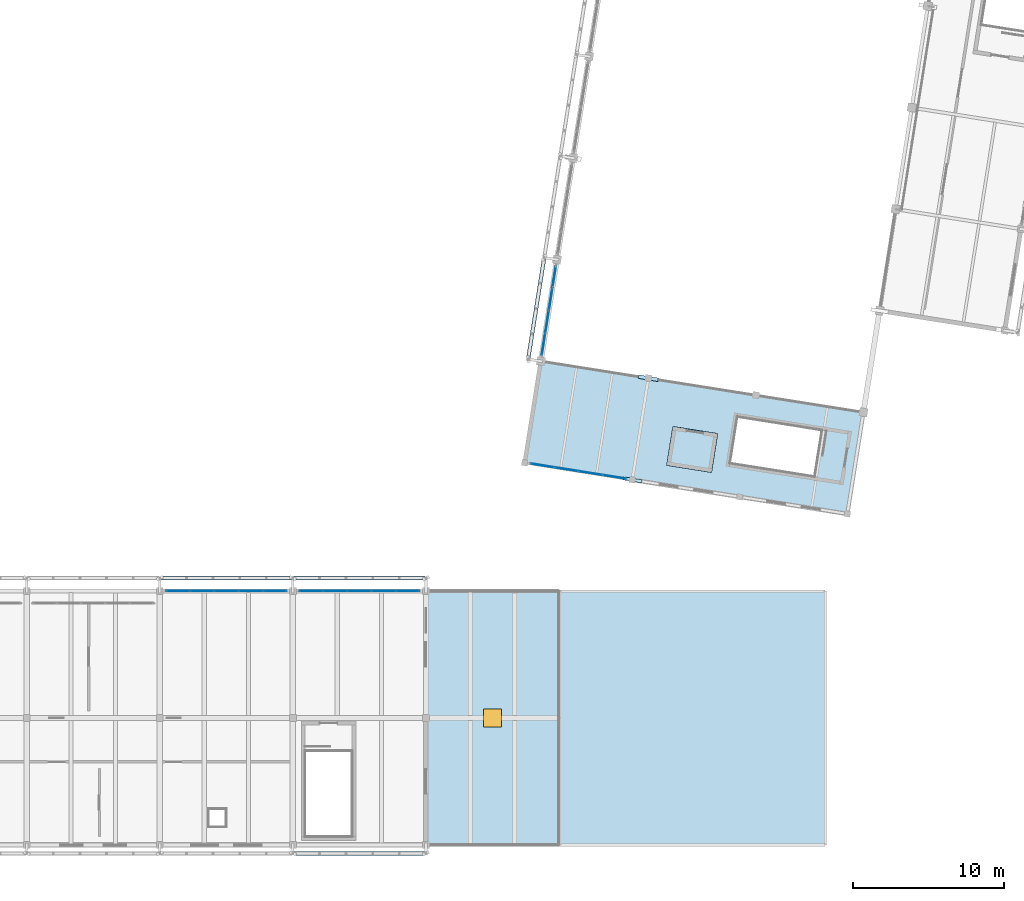
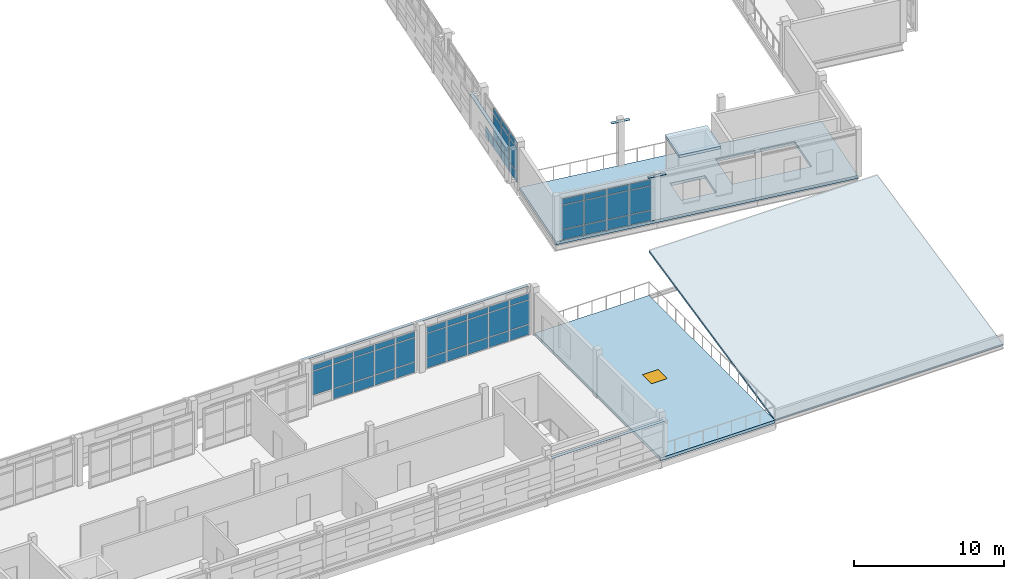
# One storey, part 85 of 117: 57 plates, 4 slabs, 1 window, 1 opening, 4 elements without a shape of their own.
"""IFC4 building model written with IfcOpenShell, lengths in metres."""

from ifc_helpers import new_model, si_unit, direction, frame, origin, origin_2d, place, context, subcontext, project, spatial, polyline, rectangle, outline, extrude, material, layer, layer_set, type_object, element, fill, aggregate, save


model = new_model("IFC4")

# Units and contexts
model_context = context("Model", 3, precision=1e-05, world=origin(), true_north=direction((0.0, 1.0)))
body_context = subcontext(model_context, "Body", "Model", "MODEL_VIEW")
ifc_project = project(units=[si_unit("LENGTHUNIT", "METRE"), si_unit("AREAUNIT", "SQUARE_METRE"), si_unit("VOLUMEUNIT", "CUBIC_METRE"), si_unit("PLANEANGLEUNIT", "RADIAN"), si_unit("MASSUNIT", "GRAM", prefix="KILO")], contexts=[model_context])

# Site, building, storey
site_placement = place(None, origin())
site = spatial("IfcSite", under=ifc_project, at=site_placement, CompositionType="ELEMENT")
building_placement = place(site_placement, origin())
building = spatial("IfcBuilding", under=site, at=building_placement, Name="Cinderway Yard Community Centre", CompositionType="ELEMENT")
storey_placement = place(building_placement, frame((0.0, 0.0, 9.0)))
storey = spatial("IfcBuildingStorey", under=building, at=storey_placement, Name="L02", CompositionType="ELEMENT", Elevation=9.0)

# Curtain wall, plates
ifc_material_1 = material(Name="Aluminium 6063-T6", Category="aluminium")
curtain_wall_type_1 = type_object("IfcCurtainWallType", Name="ENV-CW-TYPE-18", PredefinedType="USERDEFINED", material=ifc_material_1)
curtain_wall_1_placement = place(storey_placement, origin())
curtain_wall_1 = element("IfcCurtainWall", 1, at=curtain_wall_1_placement, inside=storey, type_object=curtain_wall_type_1, Name="Sports South Lobby Curtain Wall ENV-CW-L02-ST-0066", ObjectType="GLAZED CURTAIN WALL", PredefinedType="USERDEFINED")
ifc_material_2 = material(Name="Laminated Low-E Glass", Category="glass")
ifc_layer_1 = layer(ifc_material_2, 0.028076171875, Name="Laminated Low-E Glass")
ifc_layer_set_1 = layer_set([ifc_layer_1], Name="Laminated Low-E Glass")
plate_type_1 = type_object("IfcPlateType", Name="ENV-CW-PAN-IGU28", PredefinedType="CURTAIN_PANEL", material=ifc_layer_set_1)
plate_1_placement = place(storey_placement, frame((118.10693359375, 31.098876953125, 0.06005859375), z_axis=(0.0, 0.0, 1.0), x_axis=(0.987656379077, -0.156636128875, 0.0)))
plate_1 = element("IfcPlate", 2, at=plate_1_placement, type_object=plate_type_1, Name="CW-18 panel 1.1", PredefinedType="CURTAIN_PANEL", context=body_context, shape_type="SweptSolid", body=[
    extrude(rectangle(XDim=1.530029296875, YDim=0.028076171875, at=origin_2d()), origin(), (0.0, 0.0, 1.0), 0.81005859375),
])
plate_2_placement = place(storey_placement, frame((118.10693359375, 31.098876953125, 0.929931640625), z_axis=(0.0, 0.0, 1.0), x_axis=(0.987656379077, -0.156636128875, 0.0)))
plate_2 = element("IfcPlate", 3, at=plate_2_placement, type_object=plate_type_1, Name="CW-18 panel 1.2", PredefinedType="CURTAIN_PANEL", context=body_context, shape_type="SweptSolid", body=[
    extrude(rectangle(XDim=1.530029296875, YDim=0.028076171875, at=origin_2d()), origin(), (0.0, 0.0, 1.0), 1.93994140625),
])
plate_3_placement = place(storey_placement, frame((118.10693359375, 31.098876953125, 2.929931640625), z_axis=(0.0, 0.0, 1.0), x_axis=(0.987656379077, -0.156636128875, 0.0)))
plate_3 = element("IfcPlate", 4, at=plate_3_placement, type_object=plate_type_1, Name="CW-18 panel 1.3", PredefinedType="CURTAIN_PANEL", context=body_context, shape_type="SweptSolid", body=[
    extrude(rectangle(XDim=1.530029296875, YDim=0.028076171875, at=origin_2d()), origin(), (0.0, 0.0, 1.0), 0.4599609375),
])
plate_4_placement = place(storey_placement, frame((119.69189453125, 30.847412109375, 0.06005859375), z_axis=(0.0, 0.0, 1.0), x_axis=(0.987656379077, -0.156636128875, 0.0)))
plate_4 = element("IfcPlate", 5, at=plate_4_placement, type_object=plate_type_1, Name="CW-18 panel 2.1", PredefinedType="CURTAIN_PANEL", context=body_context, shape_type="SweptSolid", body=[
    extrude(rectangle(XDim=1.56005859375, YDim=0.028076171875, at=origin_2d()), origin(), (0.0, 0.0, 1.0), 0.81005859375),
])
plate_5_placement = place(storey_placement, frame((119.69189453125, 30.847412109375, 0.929931640625), z_axis=(0.0, 0.0, 1.0), x_axis=(0.987656379077, -0.156636128875, 0.0)))
plate_5 = element("IfcPlate", 6, at=plate_5_placement, type_object=plate_type_1, Name="CW-18 panel 2.2", PredefinedType="CURTAIN_PANEL", context=body_context, shape_type="SweptSolid", body=[
    extrude(rectangle(XDim=1.56005859375, YDim=0.028076171875, at=origin_2d()), origin(), (0.0, 0.0, 1.0), 1.93994140625),
])
plate_6_placement = place(storey_placement, frame((119.69189453125, 30.847412109375, 2.929931640625), z_axis=(0.0, 0.0, 1.0), x_axis=(0.987656379077, -0.156636128875, 0.0)))
plate_6 = element("IfcPlate", 7, at=plate_6_placement, type_object=plate_type_1, Name="CW-18 panel 2.3", PredefinedType="CURTAIN_PANEL", context=body_context, shape_type="SweptSolid", body=[
    extrude(rectangle(XDim=1.56005859375, YDim=0.028076171875, at=origin_2d()), origin(), (0.0, 0.0, 1.0), 0.4599609375),
])
plate_7_placement = place(storey_placement, frame((121.2919921875, 30.593505859375, 0.06005859375), z_axis=(0.0, 0.0, 1.0), x_axis=(0.987656379077, -0.156636128875, 0.0)))
plate_7 = element("IfcPlate", 8, at=plate_7_placement, type_object=plate_type_1, Name="CW-18 panel 3.1", PredefinedType="CURTAIN_PANEL", context=body_context, shape_type="SweptSolid", body=[
    extrude(rectangle(XDim=1.56005859375, YDim=0.028076171875, at=origin_2d()), origin(), (0.0, 0.0, 1.0), 0.81005859375),
])
plate_8_placement = place(storey_placement, frame((121.2919921875, 30.593505859375, 0.929931640625), z_axis=(0.0, 0.0, 1.0), x_axis=(0.987656379077, -0.156636128875, 0.0)))
plate_8 = element("IfcPlate", 9, at=plate_8_placement, type_object=plate_type_1, Name="CW-18 panel 3.2", PredefinedType="CURTAIN_PANEL", context=body_context, shape_type="SweptSolid", body=[
    extrude(rectangle(XDim=1.56005859375, YDim=0.028076171875, at=origin_2d()), origin(), (0.0, 0.0, 1.0), 1.93994140625),
])
plate_9_placement = place(storey_placement, frame((121.2919921875, 30.593505859375, 2.929931640625), z_axis=(0.0, 0.0, 1.0), x_axis=(0.987656379077, -0.156636128875, 0.0)))
plate_9 = element("IfcPlate", 10, at=plate_9_placement, type_object=plate_type_1, Name="CW-18 panel 3.3", PredefinedType="CURTAIN_PANEL", context=body_context, shape_type="SweptSolid", body=[
    extrude(rectangle(XDim=1.56005859375, YDim=0.028076171875, at=origin_2d()), origin(), (0.0, 0.0, 1.0), 0.4599609375),
])
plate_10_placement = place(storey_placement, frame((122.877197265625, 30.34228515625, 0.06005859375), z_axis=(0.0, 0.0, 1.0), x_axis=(0.987656379077, -0.156636128875, 0.0)))
plate_10 = element("IfcPlate", 11, at=plate_10_placement, type_object=plate_type_1, Name="CW-18 panel 4.1", PredefinedType="CURTAIN_PANEL", context=body_context, shape_type="SweptSolid", body=[
    extrude(rectangle(XDim=1.530029296875, YDim=0.028076171875, at=origin_2d()), origin(), (0.0, 0.0, 1.0), 0.81005859375),
])
plate_11_placement = place(storey_placement, frame((122.877197265625, 30.34228515625, 0.929931640625), z_axis=(0.0, 0.0, 1.0), x_axis=(0.987656379077, -0.156636128875, 0.0)))
plate_11 = element("IfcPlate", 12, at=plate_11_placement, type_object=plate_type_1, Name="CW-18 panel 4.2", PredefinedType="CURTAIN_PANEL", context=body_context, shape_type="SweptSolid", body=[
    extrude(rectangle(XDim=1.530029296875, YDim=0.028076171875, at=origin_2d()), origin(), (0.0, 0.0, 1.0), 1.93994140625),
])
plate_12_placement = place(storey_placement, frame((122.877197265625, 30.34228515625, 2.929931640625), z_axis=(0.0, 0.0, 1.0), x_axis=(0.987656379077, -0.156636128875, 0.0)))
plate_12 = element("IfcPlate", 13, at=plate_12_placement, type_object=plate_type_1, Name="CW-18 panel 4.3", PredefinedType="CURTAIN_PANEL", context=body_context, shape_type="SweptSolid", body=[
    extrude(rectangle(XDim=1.530029296875, YDim=0.028076171875, at=origin_2d()), origin(), (0.0, 0.0, 1.0), 0.4599609375),
])
aggregate(curtain_wall_1, [plate_1, plate_2, plate_3, plate_4, plate_5, plate_6, plate_7, plate_8, plate_9, plate_10, plate_11, plate_12])

curtain_wall_type_2 = type_object("IfcCurtainWallType", Name="ENV-CW-TYPE-30", PredefinedType="USERDEFINED", material=ifc_material_1)
curtain_wall_2_placement = place(storey_placement, origin())
curtain_wall_2 = element("IfcCurtainWall", 14, at=curtain_wall_2_placement, inside=storey, type_object=curtain_wall_type_2, Name="Dining Courtyard Curtain Wall ENV-CW-L02-ST-0105", ObjectType="GLAZED CURTAIN WALL", PredefinedType="USERDEFINED")
plate_13_placement = place(storey_placement, frame((93.9990234375, 22.800048828125, 0.929931640625), z_axis=(0.0, 0.0, 1.0), x_axis=(1.0, 0.0, 0.0)))
plate_13 = element("IfcPlate", 15, at=plate_13_placement, type_object=plate_type_1, Name="CW-30 panel 1.2", PredefinedType="CURTAIN_PANEL", context=body_context, shape_type="SweptSolid", body=[
    extrude(rectangle(XDim=1.51806640625, YDim=0.028076171875, at=origin_2d()), origin(), (0.0, 0.0, 1.0), 1.93994140625),
])
plate_14_placement = place(storey_placement, frame((93.9990234375, 22.800048828125, 2.929931640625), z_axis=(0.0, 0.0, 1.0), x_axis=(1.0, 0.0, 0.0)))
plate_14 = element("IfcPlate", 16, at=plate_14_placement, type_object=plate_type_1, Name="CW-30 panel 1.3", PredefinedType="CURTAIN_PANEL", context=body_context, shape_type="SweptSolid", body=[
    extrude(rectangle(XDim=1.51806640625, YDim=0.028076171875, at=origin_2d()), origin(), (0.0, 0.0, 1.0), 0.4599609375),
])
plate_15_placement = place(storey_placement, frame((95.592041015625, 22.800048828125, 0.06005859375), z_axis=(0.0, 0.0, 1.0), x_axis=(1.0, 0.0, 0.0)))
plate_15 = element("IfcPlate", 17, at=plate_15_placement, type_object=plate_type_1, Name="CW-30 panel 2.1", PredefinedType="CURTAIN_PANEL", context=body_context, shape_type="SweptSolid", body=[
    extrude(rectangle(XDim=1.548095703125, YDim=0.028076171875, at=origin_2d()), origin(), (0.0, 0.0, 1.0), 0.81005859375),
])
plate_16_placement = place(storey_placement, frame((95.592041015625, 22.800048828125, 0.929931640625), z_axis=(0.0, 0.0, 1.0), x_axis=(1.0, 0.0, 0.0)))
plate_16 = element("IfcPlate", 18, at=plate_16_placement, type_object=plate_type_1, Name="CW-30 panel 2.2", PredefinedType="CURTAIN_PANEL", context=body_context, shape_type="SweptSolid", body=[
    extrude(rectangle(XDim=1.548095703125, YDim=0.028076171875, at=origin_2d()), origin(), (0.0, 0.0, 1.0), 1.93994140625),
])
plate_17_placement = place(storey_placement, frame((95.592041015625, 22.800048828125, 2.929931640625), z_axis=(0.0, 0.0, 1.0), x_axis=(1.0, 0.0, 0.0)))
plate_17 = element("IfcPlate", 19, at=plate_17_placement, type_object=plate_type_1, Name="CW-30 panel 2.3", PredefinedType="CURTAIN_PANEL", context=body_context, shape_type="SweptSolid", body=[
    extrude(rectangle(XDim=1.548095703125, YDim=0.028076171875, at=origin_2d()), origin(), (0.0, 0.0, 1.0), 0.4599609375),
])
plate_18_placement = place(storey_placement, frame((97.199951171875, 22.800048828125, 0.06005859375), z_axis=(0.0, 0.0, 1.0), x_axis=(1.0, 0.0, 0.0)))
plate_18 = element("IfcPlate", 20, at=plate_18_placement, type_object=plate_type_1, Name="CW-30 panel 3.1", PredefinedType="CURTAIN_PANEL", context=body_context, shape_type="SweptSolid", body=[
    extrude(rectangle(XDim=1.548095703125, YDim=0.028076171875, at=origin_2d()), origin(), (0.0, 0.0, 1.0), 0.81005859375),
])
plate_19_placement = place(storey_placement, frame((97.199951171875, 22.800048828125, 0.929931640625), z_axis=(0.0, 0.0, 1.0), x_axis=(1.0, 0.0, 0.0)))
plate_19 = element("IfcPlate", 21, at=plate_19_placement, type_object=plate_type_1, Name="CW-30 panel 3.2", PredefinedType="CURTAIN_PANEL", context=body_context, shape_type="SweptSolid", body=[
    extrude(rectangle(XDim=1.548095703125, YDim=0.028076171875, at=origin_2d()), origin(), (0.0, 0.0, 1.0), 1.93994140625),
])
plate_20_placement = place(storey_placement, frame((97.199951171875, 22.800048828125, 2.929931640625), z_axis=(0.0, 0.0, 1.0), x_axis=(1.0, 0.0, 0.0)))
plate_20 = element("IfcPlate", 22, at=plate_20_placement, type_object=plate_type_1, Name="CW-30 panel 3.3", PredefinedType="CURTAIN_PANEL", context=body_context, shape_type="SweptSolid", body=[
    extrude(rectangle(XDim=1.548095703125, YDim=0.028076171875, at=origin_2d()), origin(), (0.0, 0.0, 1.0), 0.4599609375),
])
plate_21_placement = place(storey_placement, frame((98.80810546875, 22.800048828125, 0.06005859375), z_axis=(0.0, 0.0, 1.0), x_axis=(1.0, 0.0, 0.0)))
plate_21 = element("IfcPlate", 23, at=plate_21_placement, type_object=plate_type_1, Name="CW-30 panel 4.1", PredefinedType="CURTAIN_PANEL", context=body_context, shape_type="SweptSolid", body=[
    extrude(rectangle(XDim=1.548095703125, YDim=0.028076171875, at=origin_2d()), origin(), (0.0, 0.0, 1.0), 0.81005859375),
])
plate_22_placement = place(storey_placement, frame((98.80810546875, 22.800048828125, 0.929931640625), z_axis=(0.0, 0.0, 1.0), x_axis=(1.0, 0.0, 0.0)))
plate_22 = element("IfcPlate", 24, at=plate_22_placement, type_object=plate_type_1, Name="CW-30 panel 4.2", PredefinedType="CURTAIN_PANEL", context=body_context, shape_type="SweptSolid", body=[
    extrude(rectangle(XDim=1.548095703125, YDim=0.028076171875, at=origin_2d()), origin(), (0.0, 0.0, 1.0), 1.93994140625),
])
plate_23_placement = place(storey_placement, frame((98.80810546875, 22.800048828125, 2.929931640625), z_axis=(0.0, 0.0, 1.0), x_axis=(1.0, 0.0, 0.0)))
plate_23 = element("IfcPlate", 25, at=plate_23_placement, type_object=plate_type_1, Name="CW-30 panel 4.3", PredefinedType="CURTAIN_PANEL", context=body_context, shape_type="SweptSolid", body=[
    extrude(rectangle(XDim=1.548095703125, YDim=0.028076171875, at=origin_2d()), origin(), (0.0, 0.0, 1.0), 0.4599609375),
])
plate_24_placement = place(storey_placement, frame((100.40087890625, 22.800048828125, 0.06005859375), z_axis=(0.0, 0.0, 1.0), x_axis=(1.0, 0.0, 0.0)))
plate_24 = element("IfcPlate", 26, at=plate_24_placement, type_object=plate_type_1, Name="CW-30 panel 5.1", PredefinedType="CURTAIN_PANEL", context=body_context, shape_type="SweptSolid", body=[
    extrude(rectangle(XDim=1.51806640625, YDim=0.028076171875, at=origin_2d()), origin(), (0.0, 0.0, 1.0), 0.81005859375),
])
plate_25_placement = place(storey_placement, frame((100.40087890625, 22.800048828125, 0.929931640625), z_axis=(0.0, 0.0, 1.0), x_axis=(1.0, 0.0, 0.0)))
plate_25 = element("IfcPlate", 27, at=plate_25_placement, type_object=plate_type_1, Name="CW-30 panel 5.2", PredefinedType="CURTAIN_PANEL", context=body_context, shape_type="SweptSolid", body=[
    extrude(rectangle(XDim=1.51806640625, YDim=0.028076171875, at=origin_2d()), origin(), (0.0, 0.0, 1.0), 1.93994140625),
])
plate_26_placement = place(storey_placement, frame((100.40087890625, 22.800048828125, 2.929931640625), z_axis=(0.0, 0.0, 1.0), x_axis=(1.0, 0.0, 0.0)))
plate_26 = element("IfcPlate", 28, at=plate_26_placement, type_object=plate_type_1, Name="CW-30 panel 5.3", PredefinedType="CURTAIN_PANEL", context=body_context, shape_type="SweptSolid", body=[
    extrude(rectangle(XDim=1.51806640625, YDim=0.028076171875, at=origin_2d()), origin(), (0.0, 0.0, 1.0), 0.4599609375),
])
aggregate(curtain_wall_2, [plate_13, plate_14, plate_15, plate_16, plate_17, plate_18, plate_19, plate_20, plate_21, plate_22, plate_23, plate_24, plate_25, plate_26])

curtain_wall_3_placement = place(storey_placement, origin())
curtain_wall_3 = element("IfcCurtainWall", 29, at=curtain_wall_3_placement, inside=storey, type_object=curtain_wall_type_2, Name="Dining Courtyard Curtain Wall ENV-CW-L02-ST-0106", ObjectType="GLAZED CURTAIN WALL", PredefinedType="USERDEFINED")
plate_27_placement = place(storey_placement, frame((102.799072265625, 22.800048828125, 0.06005859375), z_axis=(0.0, 0.0, 1.0), x_axis=(1.0, 0.0, 0.0)))
plate_27 = element("IfcPlate", 30, at=plate_27_placement, type_object=plate_type_1, Name="CW-30 panel 1.1", PredefinedType="CURTAIN_PANEL", context=body_context, shape_type="SweptSolid", body=[
    extrude(rectangle(XDim=1.51806640625, YDim=0.028076171875, at=origin_2d()), origin(), (0.0, 0.0, 1.0), 0.81005859375),
])
plate_28_placement = place(storey_placement, frame((102.799072265625, 22.800048828125, 0.929931640625), z_axis=(0.0, 0.0, 1.0), x_axis=(1.0, 0.0, 0.0)))
plate_28 = element("IfcPlate", 31, at=plate_28_placement, type_object=plate_type_1, Name="CW-30 panel 1.2", PredefinedType="CURTAIN_PANEL", context=body_context, shape_type="SweptSolid", body=[
    extrude(rectangle(XDim=1.51806640625, YDim=0.028076171875, at=origin_2d()), origin(), (0.0, 0.0, 1.0), 1.93994140625),
])
plate_29_placement = place(storey_placement, frame((102.799072265625, 22.800048828125, 2.929931640625), z_axis=(0.0, 0.0, 1.0), x_axis=(1.0, 0.0, 0.0)))
plate_29 = element("IfcPlate", 32, at=plate_29_placement, type_object=plate_type_1, Name="CW-30 panel 1.3", PredefinedType="CURTAIN_PANEL", context=body_context, shape_type="SweptSolid", body=[
    extrude(rectangle(XDim=1.51806640625, YDim=0.028076171875, at=origin_2d()), origin(), (0.0, 0.0, 1.0), 0.4599609375),
])
plate_30_placement = place(storey_placement, frame((104.39208984375, 22.800048828125, 0.06005859375), z_axis=(0.0, 0.0, 1.0), x_axis=(1.0, 0.0, 0.0)))
plate_30 = element("IfcPlate", 33, at=plate_30_placement, type_object=plate_type_1, Name="CW-30 panel 2.1", PredefinedType="CURTAIN_PANEL", context=body_context, shape_type="SweptSolid", body=[
    extrude(rectangle(XDim=1.548095703125, YDim=0.028076171875, at=origin_2d()), origin(), (0.0, 0.0, 1.0), 0.81005859375),
])
plate_31_placement = place(storey_placement, frame((104.39208984375, 22.800048828125, 0.929931640625), z_axis=(0.0, 0.0, 1.0), x_axis=(1.0, 0.0, 0.0)))
plate_31 = element("IfcPlate", 34, at=plate_31_placement, type_object=plate_type_1, Name="CW-30 panel 2.2", PredefinedType="CURTAIN_PANEL", context=body_context, shape_type="SweptSolid", body=[
    extrude(rectangle(XDim=1.548095703125, YDim=0.028076171875, at=origin_2d()), origin(), (0.0, 0.0, 1.0), 1.93994140625),
])
plate_32_placement = place(storey_placement, frame((104.39208984375, 22.800048828125, 2.929931640625), z_axis=(0.0, 0.0, 1.0), x_axis=(1.0, 0.0, 0.0)))
plate_32 = element("IfcPlate", 35, at=plate_32_placement, type_object=plate_type_1, Name="CW-30 panel 2.3", PredefinedType="CURTAIN_PANEL", context=body_context, shape_type="SweptSolid", body=[
    extrude(rectangle(XDim=1.548095703125, YDim=0.028076171875, at=origin_2d()), origin(), (0.0, 0.0, 1.0), 0.4599609375),
])
plate_33_placement = place(storey_placement, frame((106.0, 22.800048828125, 0.06005859375), z_axis=(0.0, 0.0, 1.0), x_axis=(1.0, 0.0, 0.0)))
plate_33 = element("IfcPlate", 36, at=plate_33_placement, type_object=plate_type_1, Name="CW-30 panel 3.1", PredefinedType="CURTAIN_PANEL", context=body_context, shape_type="SweptSolid", body=[
    extrude(rectangle(XDim=1.548095703125, YDim=0.028076171875, at=origin_2d()), origin(), (0.0, 0.0, 1.0), 0.81005859375),
])
plate_34_placement = place(storey_placement, frame((106.0, 22.800048828125, 0.929931640625), z_axis=(0.0, 0.0, 1.0), x_axis=(1.0, 0.0, 0.0)))
plate_34 = element("IfcPlate", 37, at=plate_34_placement, type_object=plate_type_1, Name="CW-30 panel 3.2", PredefinedType="CURTAIN_PANEL", context=body_context, shape_type="SweptSolid", body=[
    extrude(rectangle(XDim=1.548095703125, YDim=0.028076171875, at=origin_2d()), origin(), (0.0, 0.0, 1.0), 1.93994140625),
])
plate_35_placement = place(storey_placement, frame((106.0, 22.800048828125, 2.929931640625), z_axis=(0.0, 0.0, 1.0), x_axis=(1.0, 0.0, 0.0)))
plate_35 = element("IfcPlate", 38, at=plate_35_placement, type_object=plate_type_1, Name="CW-30 panel 3.3", PredefinedType="CURTAIN_PANEL", context=body_context, shape_type="SweptSolid", body=[
    extrude(rectangle(XDim=1.548095703125, YDim=0.028076171875, at=origin_2d()), origin(), (0.0, 0.0, 1.0), 0.4599609375),
])
plate_36_placement = place(storey_placement, frame((107.60791015625, 22.800048828125, 0.06005859375), z_axis=(0.0, 0.0, 1.0), x_axis=(1.0, 0.0, 0.0)))
plate_36 = element("IfcPlate", 39, at=plate_36_placement, type_object=plate_type_1, Name="CW-30 panel 4.1", PredefinedType="CURTAIN_PANEL", context=body_context, shape_type="SweptSolid", body=[
    extrude(rectangle(XDim=1.548095703125, YDim=0.028076171875, at=origin_2d()), origin(), (0.0, 0.0, 1.0), 0.81005859375),
])
plate_37_placement = place(storey_placement, frame((107.60791015625, 22.800048828125, 0.929931640625), z_axis=(0.0, 0.0, 1.0), x_axis=(1.0, 0.0, 0.0)))
plate_37 = element("IfcPlate", 40, at=plate_37_placement, type_object=plate_type_1, Name="CW-30 panel 4.2", PredefinedType="CURTAIN_PANEL", context=body_context, shape_type="SweptSolid", body=[
    extrude(rectangle(XDim=1.548095703125, YDim=0.028076171875, at=origin_2d()), origin(), (0.0, 0.0, 1.0), 1.93994140625),
])
plate_38_placement = place(storey_placement, frame((107.60791015625, 22.800048828125, 2.929931640625), z_axis=(0.0, 0.0, 1.0), x_axis=(1.0, 0.0, 0.0)))
plate_38 = element("IfcPlate", 41, at=plate_38_placement, type_object=plate_type_1, Name="CW-30 panel 4.3", PredefinedType="CURTAIN_PANEL", context=body_context, shape_type="SweptSolid", body=[
    extrude(rectangle(XDim=1.548095703125, YDim=0.028076171875, at=origin_2d()), origin(), (0.0, 0.0, 1.0), 0.4599609375),
])
plate_39_placement = place(storey_placement, frame((109.200927734375, 22.800048828125, 0.06005859375), z_axis=(0.0, 0.0, 1.0), x_axis=(1.0, 0.0, 0.0)))
plate_39 = element("IfcPlate", 42, at=plate_39_placement, type_object=plate_type_1, Name="CW-30 panel 5.1", PredefinedType="CURTAIN_PANEL", context=body_context, shape_type="SweptSolid", body=[
    extrude(rectangle(XDim=1.51806640625, YDim=0.028076171875, at=origin_2d()), origin(), (0.0, 0.0, 1.0), 0.81005859375),
])
plate_40_placement = place(storey_placement, frame((109.200927734375, 22.800048828125, 0.929931640625), z_axis=(0.0, 0.0, 1.0), x_axis=(1.0, 0.0, 0.0)))
plate_40 = element("IfcPlate", 43, at=plate_40_placement, type_object=plate_type_1, Name="CW-30 panel 5.2", PredefinedType="CURTAIN_PANEL", context=body_context, shape_type="SweptSolid", body=[
    extrude(rectangle(XDim=1.51806640625, YDim=0.028076171875, at=origin_2d()), origin(), (0.0, 0.0, 1.0), 1.93994140625),
])
plate_41_placement = place(storey_placement, frame((109.200927734375, 22.800048828125, 2.929931640625), z_axis=(0.0, 0.0, 1.0), x_axis=(1.0, 0.0, 0.0)))
plate_41 = element("IfcPlate", 44, at=plate_41_placement, type_object=plate_type_1, Name="CW-30 panel 5.3", PredefinedType="CURTAIN_PANEL", context=body_context, shape_type="SweptSolid", body=[
    extrude(rectangle(XDim=1.51806640625, YDim=0.028076171875, at=origin_2d()), origin(), (0.0, 0.0, 1.0), 0.4599609375),
])
aggregate(curtain_wall_3, [plate_27, plate_28, plate_29, plate_30, plate_31, plate_32, plate_33, plate_34, plate_35, plate_36, plate_37, plate_38, plate_39, plate_40, plate_41])

curtain_wall_type_3 = type_object("IfcCurtainWallType", Name="ENV-CW-TYPE-17", PredefinedType="USERDEFINED", material=ifc_material_1)
curtain_wall_4_placement = place(storey_placement, origin())
curtain_wall_4 = element("IfcCurtainWall", 45, at=curtain_wall_4_placement, inside=storey, type_object=curtain_wall_type_3, Name="Sports Hall Courtyard Curtain Wall ENV-CW-L02-HS-0060", ObjectType="GLAZED CURTAIN WALL", PredefinedType="USERDEFINED")
ifc_layer_2 = layer(ifc_material_2, 0.031982421875, Name="Laminated Low-E Glass")
ifc_layer_set_2 = layer_set([ifc_layer_2], Name="Laminated Low-E Glass")
plate_type_2 = type_object("IfcPlateType", Name="ENV-CW-PAN-IGU32", PredefinedType="CURTAIN_PANEL", material=ifc_layer_set_2)
plate_42_placement = place(storey_placement, frame((118.1796875, 39.135498046875, 0.06005859375), z_axis=(0.0, 0.0, 1.0), x_axis=(0.156608625643, 0.987660740525, 0.0)))
plate_42 = element("IfcPlate", 46, at=plate_42_placement, type_object=plate_type_2, Name="CW-17 panel 1.1", PredefinedType="CURTAIN_PANEL", context=body_context, shape_type="SweptSolid", body=[
    extrude(rectangle(XDim=1.420166015625, YDim=0.028076171875, at=origin_2d()), origin(), (0.0, 0.0, 1.0), 0.81005859375),
])
plate_43_placement = place(storey_placement, frame((118.1796875, 39.135498046875, 0.929931640625), z_axis=(0.0, 0.0, 1.0), x_axis=(0.156608625643, 0.987660740525, 0.0)))
plate_43 = element("IfcPlate", 47, at=plate_43_placement, type_object=plate_type_2, Name="CW-17 panel 1.2", PredefinedType="CURTAIN_PANEL", context=body_context, shape_type="SweptSolid", body=[
    extrude(rectangle(XDim=1.420166015625, YDim=0.028076171875, at=origin_2d()), origin(), (0.0, 0.0, 1.0), 1.93994140625),
])
plate_44_placement = place(storey_placement, frame((118.1796875, 39.135498046875, 2.929931640625), z_axis=(0.0, 0.0, 1.0), x_axis=(0.156608625643, 0.987660740525, 0.0)))
plate_44 = element("IfcPlate", 48, at=plate_44_placement, type_object=plate_type_2, Name="CW-17 panel 1.3", PredefinedType="CURTAIN_PANEL", context=body_context, shape_type="SweptSolid", body=[
    extrude(rectangle(XDim=1.420166015625, YDim=0.028076171875, at=origin_2d()), origin(), (0.0, 0.0, 1.0), 0.4599609375),
])
plate_45_placement = place(storey_placement, frame((118.413818359375, 40.6123046875, 0.06005859375), z_axis=(0.0, 0.0, 1.0), x_axis=(0.156608625643, 0.987660740525, 0.0)))
plate_45 = element("IfcPlate", 49, at=plate_45_placement, type_object=plate_type_2, Name="CW-17 panel 2.1", PredefinedType="CURTAIN_PANEL", context=body_context, shape_type="SweptSolid", body=[
    extrude(rectangle(XDim=1.4501953125, YDim=0.028076171875, at=origin_2d()), origin(), (0.0, 0.0, 1.0), 0.81005859375),
])
plate_46_placement = place(storey_placement, frame((118.413818359375, 40.6123046875, 0.929931640625), z_axis=(0.0, 0.0, 1.0), x_axis=(0.156608625643, 0.987660740525, 0.0)))
plate_46 = element("IfcPlate", 50, at=plate_46_placement, type_object=plate_type_2, Name="CW-17 panel 2.2", PredefinedType="CURTAIN_PANEL", context=body_context, shape_type="SweptSolid", body=[
    extrude(rectangle(XDim=1.4501953125, YDim=0.028076171875, at=origin_2d()), origin(), (0.0, 0.0, 1.0), 1.93994140625),
])
plate_47_placement = place(storey_placement, frame((118.413818359375, 40.6123046875, 2.929931640625), z_axis=(0.0, 0.0, 1.0), x_axis=(0.156608625643, 0.987660740525, 0.0)))
plate_47 = element("IfcPlate", 51, at=plate_47_placement, type_object=plate_type_2, Name="CW-17 panel 2.3", PredefinedType="CURTAIN_PANEL", context=body_context, shape_type="SweptSolid", body=[
    extrude(rectangle(XDim=1.4501953125, YDim=0.028076171875, at=origin_2d()), origin(), (0.0, 0.0, 1.0), 0.4599609375),
])
plate_48_placement = place(storey_placement, frame((118.650146484375, 42.103759765625, 0.06005859375), z_axis=(0.0, 0.0, 1.0), x_axis=(0.156608625643, 0.987660740525, 0.0)))
plate_48 = element("IfcPlate", 52, at=plate_48_placement, type_object=plate_type_2, Name="CW-17 panel 3.1", PredefinedType="CURTAIN_PANEL", context=body_context, shape_type="SweptSolid", body=[
    extrude(rectangle(XDim=1.4501953125, YDim=0.028076171875, at=origin_2d()), origin(), (0.0, 0.0, 1.0), 0.81005859375),
])
plate_49_placement = place(storey_placement, frame((118.650146484375, 42.103759765625, 0.929931640625), z_axis=(0.0, 0.0, 1.0), x_axis=(0.156608625643, 0.987660740525, 0.0)))
plate_49 = element("IfcPlate", 53, at=plate_49_placement, type_object=plate_type_2, Name="CW-17 panel 3.2", PredefinedType="CURTAIN_PANEL", context=body_context, shape_type="SweptSolid", body=[
    extrude(rectangle(XDim=1.4501953125, YDim=0.028076171875, at=origin_2d()), origin(), (0.0, 0.0, 1.0), 1.93994140625),
])
plate_50_placement = place(storey_placement, frame((118.650146484375, 42.103759765625, 2.929931640625), z_axis=(0.0, 0.0, 1.0), x_axis=(0.156608625643, 0.987660740525, 0.0)))
plate_50 = element("IfcPlate", 54, at=plate_50_placement, type_object=plate_type_2, Name="CW-17 panel 3.3", PredefinedType="CURTAIN_PANEL", context=body_context, shape_type="SweptSolid", body=[
    extrude(rectangle(XDim=1.4501953125, YDim=0.028076171875, at=origin_2d()), origin(), (0.0, 0.0, 1.0), 0.4599609375),
])
plate_51_placement = place(storey_placement, frame((118.884521484375, 43.580322265625, 0.06005859375), z_axis=(0.0, 0.0, 1.0), x_axis=(0.156608625643, 0.987660740525, 0.0)))
plate_51 = element("IfcPlate", 55, at=plate_51_placement, type_object=plate_type_2, Name="CW-17 panel 4.1", PredefinedType="CURTAIN_PANEL", context=body_context, shape_type="SweptSolid", body=[
    extrude(rectangle(XDim=1.420166015625, YDim=0.028076171875, at=origin_2d()), origin(), (0.0, 0.0, 1.0), 0.81005859375),
])
aggregate(curtain_wall_4, [plate_42, plate_43, plate_44, plate_45, plate_46, plate_47, plate_48, plate_49, plate_50, plate_51])

# Plates
ifc_layer_3 = layer(ifc_material_1, 0.01611328125, Name="Aluminium 6063-T6")
ifc_layer_set_3 = layer_set([ifc_layer_3], Name="Aluminium 6063-T6")
plate_type_3 = type_object("IfcPlateType", Name="ENV-PLT-FASCIA16", PredefinedType="USERDEFINED", material=ifc_layer_set_3)
for number, where, z_axis, x_axis, name in (
    (56, (106.0, 5.449951171875, 3.411865234375), (0.0, 0.0, 1.0), (-1.0, 0.0, 0.0), "Screen coping fascia 0085"),
    (57, (97.199951171875, 23.64990234375, 3.411865234375), (0.0, 0.0, 1.0), (1.0, 0.0, 0.0), "Screen coping fascia 0090"),
    (58, (106.0, 23.64990234375, 3.411865234375), (0.0, 0.0, 1.0), (1.0, 0.0, 0.0), "Screen coping fascia 0091"),
):
    element("IfcPlate", number, at=place(storey_placement, frame(where, z_axis=z_axis, x_axis=x_axis)), inside=storey, type_object=plate_type_3, Name=name, ObjectType="FASCIA PLATE", PredefinedType="USERDEFINED", context=body_context, shape_type="SweptSolid", body=[
        extrude(rectangle(XDim=8.699951171875, YDim=0.260009765625, at=origin_2d()), origin(), (0.0, 0.0, 1.0), 0.01611328125),
    ])
plate_52_placement = place(storey_placement, frame((117.69189453125, 41.490966796875, 3.411865234375), z_axis=(0.0, 0.0, 1.0), x_axis=(0.15643446504, 0.987688340595, 0.0)))
element("IfcPlate", 59, at=plate_52_placement, inside=storey, type_object=plate_type_3, Name="Screen coping fascia 0138", ObjectType="FASCIA PLATE", PredefinedType="USERDEFINED", context=body_context, shape_type="SweptSolid", body=[
    extrude(rectangle(XDim=6.699951171875, YDim=0.260009765625, at=origin_2d()), origin(), (0.0, 0.0, 1.0), 0.01611328125),
])
ifc_material_3 = material(Name="Steel S355", Category="steel")
ifc_layer_4 = layer(ifc_material_3, 0.028076171875, Name="Steel S355")
ifc_layer_set_4 = layer_set([ifc_layer_4], Name="Steel S355")
plate_type_4 = type_object("IfcPlateType", Name="STR-PLT-STIFF-20", PredefinedType="SHEET", material=ifc_layer_set_4)
plate_53_placement = place(storey_placement, frame((124.048095703125, 30.156982421875, 3.5859375), z_axis=(0.0, 0.0, 1.0), x_axis=(0.987688340595, -0.15643446504, 0.0)))
element("IfcPlate", 60, at=plate_53_placement, inside=storey, type_object=plate_type_4, Name="Column head stiffener plate 20", PredefinedType="SHEET", context=body_context, shape_type="SweptSolid", body=[
    extrude(rectangle(XDim=1.280029296875, YDim=0.2099609375, at=origin_2d()), origin(), (0.0, 0.0, 1.0), 0.028076171875),
])
ifc_layer_5 = layer(ifc_material_3, 0.028076171875, Name="Steel S355")
ifc_layer_set_5 = layer_set([ifc_layer_5], Name="Steel S355")
plate_type_5 = type_object("IfcPlateType", Name="STR-PLT-STIFF-21", PredefinedType="SHEET", material=ifc_layer_set_5)
plate_54_placement = place(storey_placement, frame((125.111083984375, 36.8740234375, 3.5859375), z_axis=(0.0, 0.0, 1.0), x_axis=(0.987688340595, -0.15643446504, 0.0)))
element("IfcPlate", 61, at=plate_54_placement, inside=storey, type_object=plate_type_5, Name="Column head stiffener plate 21", PredefinedType="SHEET", context=body_context, shape_type="SweptSolid", body=[
    extrude(rectangle(XDim=1.31005859375, YDim=0.235107421875, at=origin_2d()), origin(), (0.0, 0.0, 1.0), 0.028076171875),
])

# Slabs
ifc_material_4 = material(Name="Concrete C35/45", Category="concrete")
ifc_layer_6 = layer(ifc_material_4, 0.219970703125, Name="Concrete C35/45")
ifc_layer_set_6 = layer_set([ifc_layer_6], Name="Concrete C35/45")
slab_type_1 = type_object("IfcSlabType", Name="STR-SLAB-FLR-220", PredefinedType="FLOOR", material=ifc_layer_set_6)
slab_1_placement = place(storey_placement, frame((0.0, 0.0, 3.659912109375)))
element("IfcSlab", 62, at=slab_1_placement, inside=storey, type_object=slab_type_1, Name="Lift LF-04 Shaft Overrun Cap", PredefinedType="FLOOR", context=body_context, shape_type="SweptSolid", body=[
    extrude(outline(polyline([(126.324951171875, 31.113037109375), (129.2880859375, 30.64306640625), (129.695068359375, 33.2109375), (126.73193359375, 33.680908203125), (126.324951171875, 31.113037109375)])), origin(), (0.0, 0.0, 1.0), 0.219970703125),
])
ifc_layer_7 = layer(ifc_material_4, 0.239990234375, Name="Concrete C35/45")
ifc_layer_set_7 = layer_set([ifc_layer_7], Name="Concrete C35/45")
slab_type_2 = type_object("IfcSlabType", Name="STR-SLAB-FLR-240", PredefinedType="FLOOR", material=ifc_layer_set_7)
slab_2_placement = place(storey_placement, frame((0.0, 0.0, -0.239990234375)))
element("IfcSlab", 63, at=slab_2_placement, inside=storey, type_object=slab_type_2, Name="V2 South Gallery Lobby Slab L02 STR-SLAB-L02-024", PredefinedType="FLOOR", context=body_context, shape_type="SweptSolid", body=[
    extrude(outline(polyline([(116.93603515625, 31.283935546875), (138.27001953125, 27.905029296875), (139.333984375, 34.62109375), (118.0, 38.0), (116.93603515625, 31.283935546875)]), holes=[polyline([(136.594970703125, 33.43603515625), (130.985107421875, 34.323974609375), (130.4970703125, 31.241943359375), (136.10693359375, 30.35400390625), (136.594970703125, 33.43603515625)]), polyline([(126.611083984375, 31.320068359375), (129.080078125, 30.928955078125), (129.408935546875, 33.00390625), (126.93994140625, 33.39501953125), (126.611083984375, 31.320068359375)])]), origin(), (0.0, 0.0, 1.0), 0.239990234375),
])
ifc_material_5 = material(Name="Concrete C40/50", Category="concrete")
ifc_layer_8 = layer(ifc_material_5, 0.159912109375, Name="Concrete C40/50")
ifc_layer_set_8 = layer_set([ifc_layer_8], Name="Concrete C40/50")
slab_type_3 = type_object("IfcSlabType", Name="STR-SLAB-ROOF-CN160", PredefinedType="ROOF", material=ifc_layer_set_8)
slab_3_placement = place(storey_placement, frame((119.199951171875, 6.0, 0.050048828125), z_axis=(0.0, -0.209520355025, 0.977804285545), x_axis=(1.0, 0.0, 0.0)))
element("IfcSlab", 64, at=slab_3_placement, inside=storey, type_object=slab_type_3, Name="Storm Arcade East-Arcade Canopy", PredefinedType="ROOF", context=body_context, shape_type="SweptSolid", body=[
    extrude(outline(polyline([(0.0, 0.0), (17.60009765625, 0.0), (17.60009765625, 17.18140232813788), (0.0, 17.18140232813788), (0.0, 0.0)])), origin(), (0.0, 0.0, -1.0), 0.159912109375),
])

# Slab, opening, window
ifc_layer_9 = layer(ifc_material_5, 0.239990234375, Name="Concrete C40/50")
ifc_layer_set_9 = layer_set([ifc_layer_9], Name="Concrete C40/50")
slab_type_4 = type_object("IfcSlabType", Name="STR-SLAB-TER-240", PredefinedType="FLOOR", material=ifc_layer_set_9)
slab_4_placement = place(storey_placement, frame((0.0, 0.0, -0.239990234375)))
slab_4 = element("IfcSlab", 65, at=slab_4_placement, inside=storey, type_object=slab_type_4, Name="V3 East Dining Courtyard Terrace Slab L02 STR-SLAB-L02-028", PredefinedType="FLOOR", context=body_context, shape_type="SweptSolid", body=[
    extrude(outline(polyline([(110.39990234375, 6.0), (119.199951171875, 6.0), (119.199951171875, 22.800048828125), (110.39990234375, 22.800048828125), (110.39990234375, 6.0)])), origin(), (0.0, 0.0, 1.0), 0.239990234375),
])
opening_placement = place(slab_4_placement, frame((114.800048828125, 14.39990234375, 0.0)))
opening = element("IfcOpeningElement", 66, at=opening_placement, cuts=slab_4, Name="Opening SK-01", PredefinedType="OPENING", context=body_context, shape_type="SweptSolid", body=[
    extrude(rectangle(XDim=1.199951171875, YDim=1.199951171875, at=origin_2d()), origin(), (0.0, 0.0, 1.0), 0.239990234375),
])
window_type = type_object("IfcWindowType", Name="ENV-SKY-S01", PartitioningType="SINGLE_PANEL", PredefinedType="SKYLIGHT", material=ifc_material_2)
window_placement = place(opening_placement, frame((0.0, 0.0, 0.18994140625)))
window = element("IfcWindow", 67, at=window_placement, inside=storey, type_object=window_type, Name="Terrace daylight skylight 01", OverallHeight=1.199951171875, OverallWidth=1.199951171875, PartitioningType="SINGLE_PANEL", PredefinedType="SKYLIGHT", context=body_context, shape_type="SweptSolid", body=[
    extrude(rectangle(XDim=1.199951171875, YDim=1.199951171875, at=origin_2d()), origin(), (0.0, 0.0, 1.0), 0.050048828125),
])
fill(opening, window)

save(model, "model.ifc")
